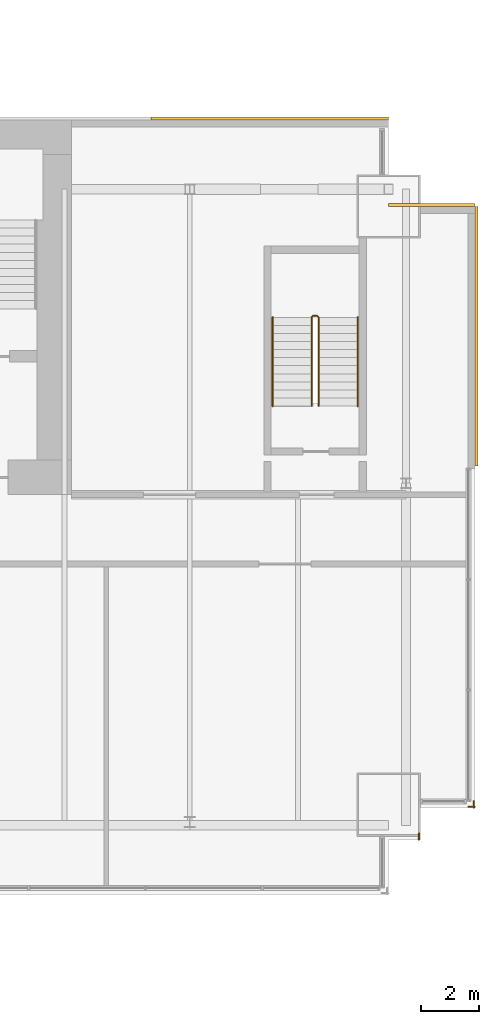
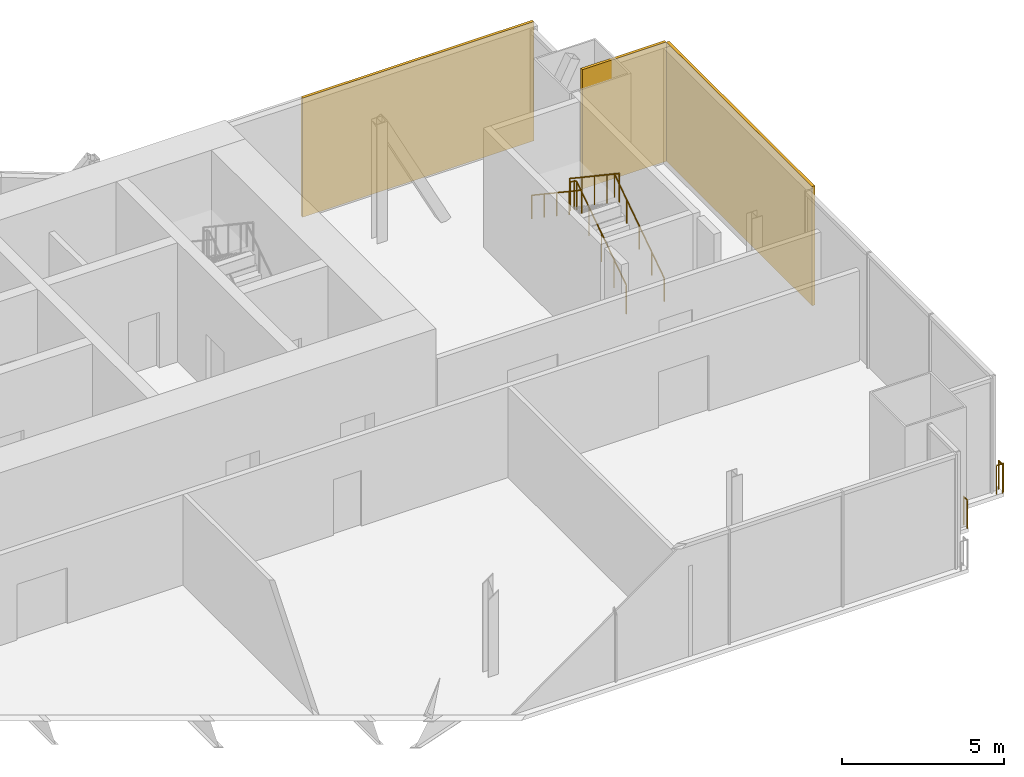
# One storey, part 18 of 18: 5 railings, 3 coverings.
"""IFC4 building model written with IfcOpenShell, lengths in metres."""

from ifc_helpers import new_model, si_unit, direction, frame, origin, origin_2d, place, context, subcontext, project, spatial, rectangle, circle, extrude, material, layer, layer_set, type_object, element, save


model = new_model("IFC4")

# Units and contexts
model_context = context("Model", 3, precision=1e-05, world=origin(), true_north=direction((0.0, 1.0)))
body_context = subcontext(model_context, "Body", "Model", "MODEL_VIEW")
ifc_project = project(units=[si_unit("LENGTHUNIT", "METRE"), si_unit("AREAUNIT", "SQUARE_METRE"), si_unit("VOLUMEUNIT", "CUBIC_METRE"), si_unit("PLANEANGLEUNIT", "RADIAN"), si_unit("MASSUNIT", "GRAM", prefix="KILO")], contexts=[model_context])

# Site, building, storey
site_placement = place(None, origin())
site = spatial("IfcSite", under=ifc_project, at=site_placement, CompositionType="ELEMENT")
building_placement = place(site_placement, origin())
building = spatial("IfcBuilding", under=site, at=building_placement, Name="Bicima Exchange Tower", CompositionType="ELEMENT")
storey_placement = place(building_placement, frame((0.0, 0.0, 302.0)))
storey = spatial("IfcBuildingStorey", under=building, at=storey_placement, Name="L68", CompositionType="ELEMENT", Elevation=302.0)

# Coverings
ifc_material_1 = material(Name="Bronze metal cladding")
ifc_layer_1 = layer(ifc_material_1, 0.004)
ifc_material_2 = material(Name="Ventilated cavity")
ifc_layer_2 = layer(ifc_material_2, 0.06)
ifc_material_3 = material(Name="Galvanised steel rail and mineral wool", Category="steel")
ifc_layer_3 = layer(ifc_material_3, 0.036)
ifc_layer_set = layer_set([ifc_layer_1, ifc_layer_2, ifc_layer_3], Name="Ventilated cavity")
covering_type = type_object("IfcCoveringType", Name="Bronze metal cladding panel 100", PredefinedType="CLADDING", material=ifc_layer_set)
covering_1_placement = place(storey_placement, frame((28.875, 0.050048828125, -0.14990234375), z_axis=(0.0, 0.0, 1.0), x_axis=(-1.0, 0.0, 0.0)))
element("IfcCovering", 1, at=covering_1_placement, inside=storey, type_object=covering_type, Name="Bronze cladding L68 1.1", PredefinedType="CLADDING", context=body_context, shape_type="SweptSolid", body=[
    extrude(rectangle(XDim=8.25, YDim=0.10009765625, at=origin_2d()), origin(), (0.0, 0.0, 1.0), 4.5),
])
covering_2_placement = place(storey_placement, frame((36.050048828125, -7.5, -0.14990234375), z_axis=(0.0, 0.0, 1.0), x_axis=(0.0, 1.0, 0.0)))
element("IfcCovering", 2, at=covering_2_placement, inside=storey, type_object=covering_type, Name="Bronze cladding L68 50.1", PredefinedType="CLADDING", context=body_context, shape_type="SweptSolid", body=[
    extrude(rectangle(XDim=9.0, YDim=0.10009765625, at=origin_2d()), origin(), (0.0, 0.0, 1.0), 4.5),
])
covering_3_placement = place(storey_placement, frame((34.5, -2.949951171875, -0.14990234375), z_axis=(0.0, 0.0, 1.0), x_axis=(-1.0, 0.0, 0.0)))
element("IfcCovering", 3, at=covering_3_placement, inside=storey, type_object=covering_type, Name="Bronze cladding L68 51.1", PredefinedType="CLADDING", context=body_context, shape_type="SweptSolid", body=[
    extrude(rectangle(XDim=3.0, YDim=0.10009765625, at=origin_2d()), origin(), (0.0, 0.0, 1.0), 4.5),
])

# Railings
ifc_material_4 = material(Name="Stainless steel and bonded safety glass", Category="steel")
railing_type_1 = type_object("IfcRailingType", Name="Edge guard 1100", PredefinedType="GUARDRAIL", material=ifc_material_4)
railing_1_placement = place(storey_placement, frame((35.949951171875, -23.6240234375, 0.0)))
element("IfcRailing", 4, at=railing_1_placement, inside=storey, type_object=railing_type_1, Name="Edge guard L68 350", PredefinedType="GUARDRAIL", context=body_context, shape_type="SweptSolid", body=[
    extrude(circle(Radius=0.02392578125, at=origin_2d()), frame((0.0, 0.0, 1.076171875), z_axis=(0.0, -1.0, 0.0), x_axis=(1.0, 0.0, 0.0)), (0.0, 0.0, 1.0), 0.248046875),
    extrude(circle(Radius=0.02392578125, at=origin_2d()), frame((0.0, -0.248046875, 1.076171875), z_axis=(0.707106781187, 0.707106781187, 0.0), x_axis=(-0.707106781187, 0.707106781187, 0.0)), (0.0, 0.0, 1.0), 0.07080078125),
    extrude(circle(Radius=0.02392578125, at=origin_2d()), frame((0.050048828125, -0.197998046875, 1.076171875), z_axis=(-1.0, 0.0, 0.0), x_axis=(0.0, -1.0, 0.0)), (0.0, 0.0, 1.0), 0.237060546875),
    extrude(circle(Radius=0.02099609375, at=origin_2d()), origin(), (0.0, 0.0, 1.0), 1.052001953125),
    extrude(circle(Radius=0.02099609375, at=origin_2d()), frame((0.0, -0.248046875, 0.0)), (0.0, 0.0, 1.0), 1.052001953125),
    extrude(circle(Radius=0.02099609375, at=origin_2d()), frame((0.050048828125, -0.197998046875, 0.0)), (0.0, 0.0, 1.0), 1.052001953125),
    extrude(circle(Radius=0.02099609375, at=origin_2d()), frame((-0.18701171875, -0.197998046875, 0.0)), (0.0, 0.0, 1.0), 1.052001953125),
])
railing_2_placement = place(storey_placement, frame((34.050048828125, -24.751953125, 0.0)))
element("IfcRailing", 5, at=railing_2_placement, inside=storey, type_object=railing_type_1, Name="Edge guard L68 351", PredefinedType="GUARDRAIL", context=body_context, shape_type="SweptSolid", body=[
    extrude(circle(Radius=0.02392578125, at=origin_2d()), frame((0.0, 0.0, 1.076171875), z_axis=(0.0, -1.0, 0.0), x_axis=(1.0, 0.0, 0.0)), (0.0, 0.0, 1.0), 0.219970703125),
    extrude(circle(Radius=0.02099609375, at=origin_2d()), origin(), (0.0, 0.0, 1.0), 1.052001953125),
    extrude(circle(Radius=0.02099609375, at=origin_2d()), frame((0.0, -0.219970703125, 0.0)), (0.0, 0.0, 1.0), 1.052001953125),
])
ifc_material_5 = material(Name="Stainless steel", Category="steel")
railing_type_2 = type_object("IfcRailingType", Name="Stair guard 1100", PredefinedType="GUARDRAIL", material=ifc_material_5)
railing_3_placement = place(storey_placement, frame((30.574951171875, -9.925048828125, 0.1875)))
element("IfcRailing", 6, at=railing_3_placement, inside=storey, type_object=railing_type_2, Name="L68 ST-EE stair guard 1", PredefinedType="GUARDRAIL", context=body_context, shape_type="SweptSolid", body=[
    extrude(circle(Radius=0.02392578125, at=origin_2d()), frame((0.0, 0.0, 1.076171875), z_axis=(0.0, 0.830913701846, 0.55640131208), x_axis=(-1.0, 0.0, 0.0)), (0.0, 0.0, 1.0), 3.706787109375),
    extrude(circle(Radius=0.02392578125, at=origin_2d()), frame((0.0, 3.080078125, 3.138671875), z_axis=(-0.707106781187, 0.707106781187, 0.0), x_axis=(-0.707106781187, -0.707106781187, 0.0)), (0.0, 0.0, 1.0), 0.07080078125),
    extrude(circle(Radius=0.02392578125, at=origin_2d()), frame((-0.050048828125, 3.130126953125, 3.138671875), z_axis=(-1.0, 0.0, 0.0), x_axis=(0.0, -1.0, 0.0)), (0.0, 0.0, 1.0), 0.14990234375),
    extrude(circle(Radius=0.02392578125, at=origin_2d()), frame((-0.199951171875, 3.130126953125, 3.138671875), z_axis=(-0.249726431254, -0.249726431254, 0.935560483917), x_axis=(0.707106781187, -0.707106781187, 0.0)), (0.0, 0.0, 1.0), 0.200439453125),
    extrude(circle(Radius=0.02392578125, at=origin_2d()), frame((-0.25, 3.080078125, 3.326171875), z_axis=(0.0, -0.830913701846, 0.55640131208), x_axis=(1.0, 0.0, 0.0)), (0.0, 0.0, 1.0), 3.706787109375),
    extrude(circle(Radius=0.02099609375, at=origin_2d()), origin(), (0.0, 0.0, 1.0), 1.052001953125),
    extrude(circle(Radius=0.02099609375, at=origin_2d()), frame((0.0, 0.77001953125, 0.515625)), (0.0, 0.0, 1.0), 1.052001953125),
    extrude(circle(Radius=0.02099609375, at=origin_2d()), frame((0.0, 1.5400390625, 1.03125)), (0.0, 0.0, 1.0), 1.052001953125),
    extrude(circle(Radius=0.02099609375, at=origin_2d()), frame((0.0, 2.31005859375, 1.546875)), (0.0, 0.0, 1.0), 1.052001953125),
    extrude(circle(Radius=0.02099609375, at=origin_2d()), frame((0.0, 3.080078125, 2.0625)), (0.0, 0.0, 1.0), 1.052001953125),
    extrude(circle(Radius=0.02099609375, at=origin_2d()), frame((-0.050048828125, 3.130126953125, 2.0625)), (0.0, 0.0, 1.0), 1.052001953125),
    extrude(circle(Radius=0.02099609375, at=origin_2d()), frame((-0.199951171875, 3.130126953125, 2.0625)), (0.0, 0.0, 1.0), 1.052001953125),
    extrude(circle(Radius=0.02099609375, at=origin_2d()), frame((-0.25, 3.080078125, 2.25)), (0.0, 0.0, 1.0), 1.052001953125),
    extrude(circle(Radius=0.02099609375, at=origin_2d()), frame((-0.25, 2.31005859375, 2.765625)), (0.0, 0.0, 1.0), 1.052001953125),
    extrude(circle(Radius=0.02099609375, at=origin_2d()), frame((-0.25, 1.5400390625, 3.28125)), (0.0, 0.0, 1.0), 1.052001953125),
    extrude(circle(Radius=0.02099609375, at=origin_2d()), frame((-0.25, 0.77001953125, 3.796875)), (0.0, 0.0, 1.0), 1.052001953125),
    extrude(circle(Radius=0.02099609375, at=origin_2d()), frame((-0.25, 0.0, 4.3125)), (0.0, 0.0, 1.0), 1.052001953125),
])
railing_type_3 = type_object("IfcRailingType", Name="Stair handrail 900", PredefinedType="HANDRAIL", material=ifc_material_5)
railing_4_placement = place(storey_placement, frame((31.925048828125, -9.925048828125, 0.1875)))
element("IfcRailing", 7, at=railing_4_placement, inside=storey, type_object=railing_type_3, Name="L68 ST-EE stair handrail 1", PredefinedType="HANDRAIL", context=body_context, shape_type="SweptSolid", body=[
    extrude(circle(Radius=0.02392578125, at=origin_2d()), frame((0.0, 0.0, 0.8759765625), z_axis=(0.0, 0.830913701846, 0.55640131208), x_axis=(-1.0, 0.0, 0.0)), (0.0, 0.0, 1.0), 3.706787109375),
    extrude(circle(Radius=0.02099609375, at=origin_2d()), origin(), (0.0, 0.0, 1.0), 0.851806640625),
    extrude(circle(Radius=0.02099609375, at=origin_2d()), frame((0.0, 0.77001953125, 0.515625)), (0.0, 0.0, 1.0), 0.851806640625),
    extrude(circle(Radius=0.02099609375, at=origin_2d()), frame((0.0, 1.5400390625, 1.03125)), (0.0, 0.0, 1.0), 0.851806640625),
    extrude(circle(Radius=0.02099609375, at=origin_2d()), frame((0.0, 2.31005859375, 1.546875)), (0.0, 0.0, 1.0), 0.851806640625),
    extrude(circle(Radius=0.02099609375, at=origin_2d()), frame((0.0, 3.080078125, 2.0625)), (0.0, 0.0, 1.0), 0.851806640625),
])
railing_5_placement = place(storey_placement, frame((28.97509765625, -6.844970703125, 2.47900390625)))
element("IfcRailing", 8, at=railing_5_placement, inside=storey, type_object=railing_type_3, Name="L68 ST-EE stair handrail 2", PredefinedType="HANDRAIL", context=body_context, shape_type="SweptSolid", body=[
    extrude(circle(Radius=0.02392578125, at=origin_2d()), frame((0.0, 0.0, 0.8759765625), z_axis=(0.0, -0.830913701846, 0.55640131208), x_axis=(1.0, 0.0, 0.0)), (0.0, 0.0, 1.0), 3.706787109375),
    extrude(circle(Radius=0.02099609375, at=origin_2d()), origin(), (0.0, 0.0, 1.0), 0.851806640625),
    extrude(circle(Radius=0.02099609375, at=origin_2d()), frame((0.0, -0.77001953125, 0.515625)), (0.0, 0.0, 1.0), 0.851806640625),
    extrude(circle(Radius=0.02099609375, at=origin_2d()), frame((0.0, -1.5400390625, 1.03125)), (0.0, 0.0, 1.0), 0.851806640625),
    extrude(circle(Radius=0.02099609375, at=origin_2d()), frame((0.0, -2.31005859375, 1.546875)), (0.0, 0.0, 1.0), 0.851806640625),
    extrude(circle(Radius=0.02099609375, at=origin_2d()), frame((0.0, -3.080078125, 2.0625)), (0.0, 0.0, 1.0), 0.851806640625),
])

save(model, "model.ifc")
